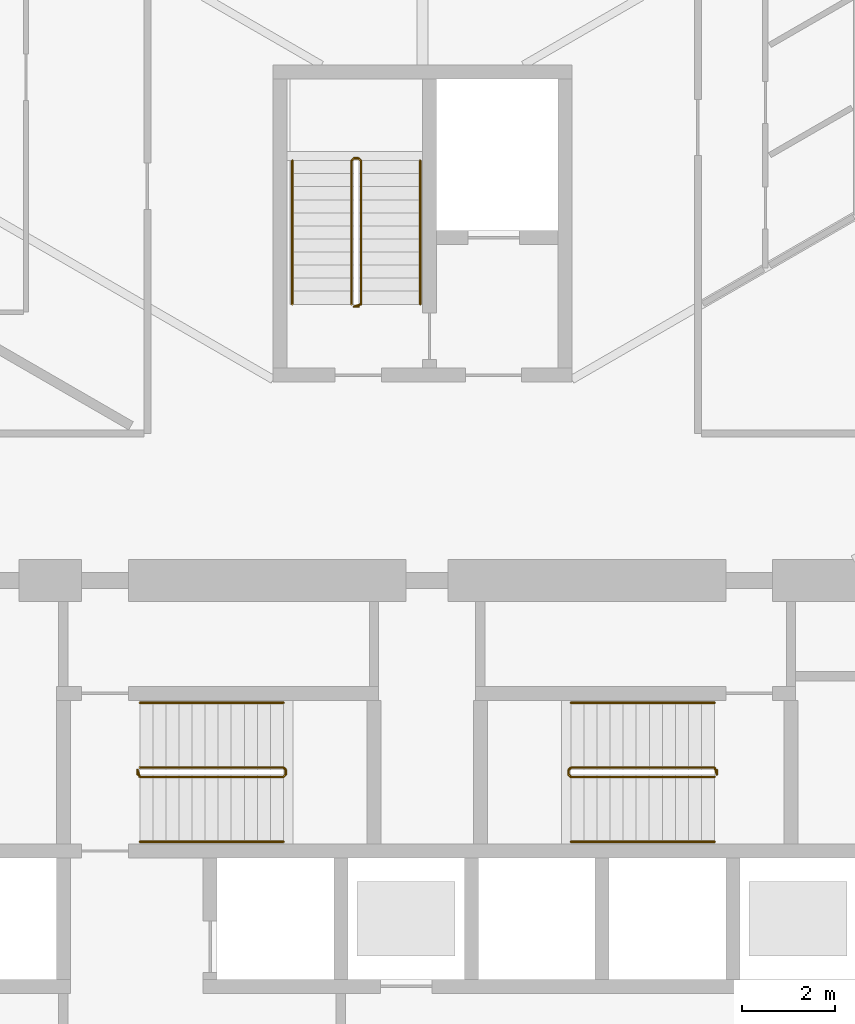
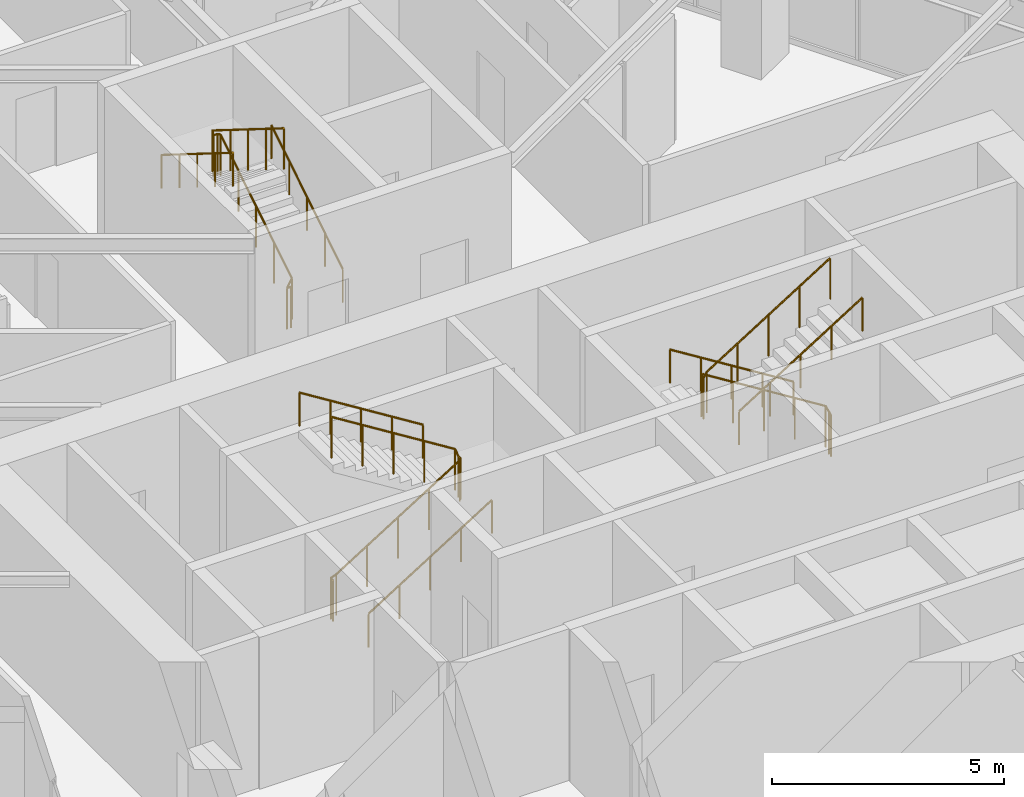
# One storey, part 24 of 25: 9 railings.
"""IFC4 building model written with IfcOpenShell, lengths in metres."""

from ifc_helpers import new_model, si_unit, direction, frame, origin, origin_2d, place, context, subcontext, project, spatial, circle, extrude, material, type_object, element, save


model = new_model("IFC4")

# Units and contexts
model_context = context("Model", 3, precision=1e-05, world=origin(), true_north=direction((0.0, 1.0)))
body_context = subcontext(model_context, "Body", "Model", "MODEL_VIEW")
ifc_project = project(units=[si_unit("LENGTHUNIT", "METRE"), si_unit("AREAUNIT", "SQUARE_METRE"), si_unit("VOLUMEUNIT", "CUBIC_METRE"), si_unit("PLANEANGLEUNIT", "RADIAN"), si_unit("MASSUNIT", "GRAM", prefix="KILO")], contexts=[model_context])

# Site, building, storey
site_placement = place(None, origin())
site = spatial("IfcSite", under=ifc_project, at=site_placement, CompositionType="ELEMENT")
building_placement = place(site_placement, origin())
building = spatial("IfcBuilding", under=site, at=building_placement, Name="Firuza Gate Tower and Library", CompositionType="ELEMENT")
storey_placement = place(building_placement, frame((0.0, 0.0, 61.0)))
storey = spatial("IfcBuildingStorey", under=building, at=storey_placement, Name="L13", CompositionType="ELEMENT", Elevation=61.0)

# Railings
ifc_material_1 = material(Name="Steel S355", Category="steel")
railing_type_1 = type_object("IfcRailingType", Name="Stair guard 1100", PredefinedType="GUARDRAIL", material=ifc_material_1)
railing_1_placement = place(storey_placement, frame((68.889892578125, 79.389892578125, 0.0)))
element("IfcRailing", 1, at=railing_1_placement, inside=storey, type_object=railing_type_1, Name="L13 ST1 stair guard 1", PredefinedType="GUARDRAIL", context=body_context, shape_type="SweptSolid", body=[
    extrude(circle(Radius=0.02392578125, at=origin_2d()), frame((0.0, 0.0, 1.076171875), z_axis=(0.0, 1.0, 0.0), x_axis=(-1.0, 0.0, 0.0)), (0.0, 0.0, 1.0), 0.10009765625),
    extrude(circle(Radius=0.02392578125, at=origin_2d()), frame((0.0, 0.10009765625, 1.076171875), z_axis=(0.21222055169, -0.635626432867, 0.742254319813), x_axis=(0.948528701346, 0.316691178788, 0.0)), (0.0, 0.0, 1.0), 0.23583984375),
    extrude(circle(Radius=0.02392578125, at=origin_2d()), frame((0.050048828125, -0.0498046875, 1.2509765625), z_axis=(0.847998304005, 0.0, 0.529998940003), x_axis=(0.0, 1.0, 0.0)), (0.0, 0.0, 1.0), 3.632080078125),
    extrude(circle(Radius=0.02392578125, at=origin_2d()), frame((3.130126953125, -0.0498046875, 3.17626953125), z_axis=(0.708833529934, 0.705375805398, 0.0), x_axis=(-0.705375805398, 0.708833529934, 0.0)), (0.0, 0.0, 1.0), 0.070556640625),
    extrude(circle(Radius=0.02392578125, at=origin_2d()), frame((3.18017578125, 0.0, 3.17626953125), z_axis=(0.0, 1.0, 0.0), x_axis=(-1.0, 0.0, 0.0)), (0.0, 0.0, 1.0), 0.10009765625),
    extrude(circle(Radius=0.02392578125, at=origin_2d()), frame((3.18017578125, 0.10009765625, 3.17626953125), z_axis=(-0.265383341853, 0.265383341853, 0.926899867156), x_axis=(-0.707106781187, -0.707106781187, 0.0)), (0.0, 0.0, 1.0), 0.1884765625),
    extrude(circle(Radius=0.02392578125, at=origin_2d()), frame((3.130126953125, 0.150146484375, 3.35107421875), z_axis=(-0.847998304005, 0.0, 0.529998940003), x_axis=(0.0, -1.0, 0.0)), (0.0, 0.0, 1.0), 3.632080078125),
    extrude(circle(Radius=0.02099609375, at=origin_2d()), origin(), (0.0, 0.0, 1.0), 1.052001953125),
    extrude(circle(Radius=0.02099609375, at=origin_2d()), frame((0.0, 0.10009765625, 0.0)), (0.0, 0.0, 1.0), 1.052001953125),
    extrude(circle(Radius=0.02099609375, at=origin_2d()), frame((0.050048828125, -0.0498046875, 0.175048828125)), (0.0, 0.0, 1.0), 1.052001953125),
    extrude(circle(Radius=0.02099609375, at=origin_2d()), frame((0.820068359375, -0.0498046875, 0.65625)), (0.0, 0.0, 1.0), 1.052001953125),
    extrude(circle(Radius=0.02099609375, at=origin_2d()), frame((1.590087890625, -0.0498046875, 1.1376953125)), (0.0, 0.0, 1.0), 1.052001953125),
    extrude(circle(Radius=0.02099609375, at=origin_2d()), frame((2.360107421875, -0.0498046875, 1.618896484375)), (0.0, 0.0, 1.0), 1.052001953125),
    extrude(circle(Radius=0.02099609375, at=origin_2d()), frame((3.130126953125, -0.0498046875, 2.10009765625)), (0.0, 0.0, 1.0), 1.052001953125),
    extrude(circle(Radius=0.02099609375, at=origin_2d()), frame((3.18017578125, 0.0, 2.10009765625)), (0.0, 0.0, 1.0), 1.052001953125),
    extrude(circle(Radius=0.02099609375, at=origin_2d()), frame((3.18017578125, 0.10009765625, 2.10009765625)), (0.0, 0.0, 1.0), 1.052001953125),
    extrude(circle(Radius=0.02099609375, at=origin_2d()), frame((3.130126953125, 0.150146484375, 2.27490234375)), (0.0, 0.0, 1.0), 1.052001953125),
    extrude(circle(Radius=0.02099609375, at=origin_2d()), frame((2.360107421875, 0.150146484375, 2.756103515625)), (0.0, 0.0, 1.0), 1.052001953125),
    extrude(circle(Radius=0.02099609375, at=origin_2d()), frame((1.590087890625, 0.150146484375, 3.2373046875)), (0.0, 0.0, 1.0), 1.052001953125),
    extrude(circle(Radius=0.02099609375, at=origin_2d()), frame((0.820068359375, 0.150146484375, 3.71875)), (0.0, 0.0, 1.0), 1.052001953125),
    extrude(circle(Radius=0.02099609375, at=origin_2d()), frame((0.050048828125, 0.150146484375, 4.199951171875)), (0.0, 0.0, 1.0), 1.052001953125),
])
railing_2_placement = place(storey_placement, frame((81.31005859375, 79.489990234375, 0.0)))
element("IfcRailing", 2, at=railing_2_placement, inside=storey, type_object=railing_type_1, Name="L13 ST2 stair guard 1", PredefinedType="GUARDRAIL", context=body_context, shape_type="SweptSolid", body=[
    extrude(circle(Radius=0.02392578125, at=origin_2d()), frame((0.0, 0.0, 1.076171875), z_axis=(0.0, -1.0, 0.0), x_axis=(1.0, 0.0, 0.0)), (0.0, 0.0, 1.0), 0.10009765625),
    extrude(circle(Radius=0.02392578125, at=origin_2d()), frame((0.0, -0.10009765625, 1.076171875), z_axis=(-0.212080931658, 0.636242794973, 0.741765990237), x_axis=(-0.948683298051, -0.316227766017, 0.0)), (0.0, 0.0, 1.0), 0.236083984375),
    extrude(circle(Radius=0.02392578125, at=origin_2d()), frame((-0.050048828125, 0.050048828125, 1.2509765625), z_axis=(-0.847998304005, 0.0, 0.529998940003), x_axis=(0.0, -1.0, 0.0)), (0.0, 0.0, 1.0), 3.632080078125),
    extrude(circle(Radius=0.02392578125, at=origin_2d()), frame((-3.130126953125, 0.050048828125, 3.17626953125), z_axis=(-0.707106781187, -0.707106781187, 0.0), x_axis=(0.707106781187, -0.707106781187, 0.0)), (0.0, 0.0, 1.0), 0.07080078125),
    extrude(circle(Radius=0.02392578125, at=origin_2d()), frame((-3.18017578125, 0.0, 3.17626953125), z_axis=(0.0, -1.0, 0.0), x_axis=(1.0, 0.0, 0.0)), (0.0, 0.0, 1.0), 0.10009765625),
    extrude(circle(Radius=0.02392578125, at=origin_2d()), frame((-3.18017578125, -0.10009765625, 3.17626953125), z_axis=(0.265474339444, -0.264179342666, 0.927217692888), x_axis=(0.705375805398, 0.708833529934, 0.0)), (0.0, 0.0, 1.0), 0.1884765625),
    extrude(circle(Radius=0.02392578125, at=origin_2d()), frame((-3.130126953125, -0.14990234375, 3.35107421875), z_axis=(0.847998304005, 0.0, 0.529998940003), x_axis=(0.0, 1.0, 0.0)), (0.0, 0.0, 1.0), 3.632080078125),
    extrude(circle(Radius=0.02099609375, at=origin_2d()), origin(), (0.0, 0.0, 1.0), 1.052001953125),
    extrude(circle(Radius=0.02099609375, at=origin_2d()), frame((0.0, -0.10009765625, 0.0)), (0.0, 0.0, 1.0), 1.052001953125),
    extrude(circle(Radius=0.02099609375, at=origin_2d()), frame((-0.050048828125, 0.050048828125, 0.175048828125)), (0.0, 0.0, 1.0), 1.052001953125),
    extrude(circle(Radius=0.02099609375, at=origin_2d()), frame((-0.820068359375, 0.050048828125, 0.65625)), (0.0, 0.0, 1.0), 1.052001953125),
    extrude(circle(Radius=0.02099609375, at=origin_2d()), frame((-1.590087890625, 0.050048828125, 1.1376953125)), (0.0, 0.0, 1.0), 1.052001953125),
    extrude(circle(Radius=0.02099609375, at=origin_2d()), frame((-2.360107421875, 0.050048828125, 1.618896484375)), (0.0, 0.0, 1.0), 1.052001953125),
    extrude(circle(Radius=0.02099609375, at=origin_2d()), frame((-3.130126953125, 0.050048828125, 2.10009765625)), (0.0, 0.0, 1.0), 1.052001953125),
    extrude(circle(Radius=0.02099609375, at=origin_2d()), frame((-3.18017578125, 0.0, 2.10009765625)), (0.0, 0.0, 1.0), 1.052001953125),
    extrude(circle(Radius=0.02099609375, at=origin_2d()), frame((-3.18017578125, -0.10009765625, 2.10009765625)), (0.0, 0.0, 1.0), 1.052001953125),
    extrude(circle(Radius=0.02099609375, at=origin_2d()), frame((-3.130126953125, -0.14990234375, 2.27490234375)), (0.0, 0.0, 1.0), 1.052001953125),
    extrude(circle(Radius=0.02099609375, at=origin_2d()), frame((-2.360107421875, -0.14990234375, 2.756103515625)), (0.0, 0.0, 1.0), 1.052001953125),
    extrude(circle(Radius=0.02099609375, at=origin_2d()), frame((-1.590087890625, -0.14990234375, 3.2373046875)), (0.0, 0.0, 1.0), 1.052001953125),
    extrude(circle(Radius=0.02099609375, at=origin_2d()), frame((-0.820068359375, -0.14990234375, 3.71875)), (0.0, 0.0, 1.0), 1.052001953125),
    extrude(circle(Radius=0.02099609375, at=origin_2d()), frame((-0.050048828125, -0.14990234375, 4.199951171875)), (0.0, 0.0, 1.0), 1.052001953125),
])
railing_3_placement = place(storey_placement, frame((73.6298828125, 89.419921875, 0.0)))
element("IfcRailing", 3, at=railing_3_placement, inside=storey, type_object=railing_type_1, Name="L13 ST3 stair guard 1", PredefinedType="GUARDRAIL", context=body_context, shape_type="SweptSolid", body=[
    extrude(circle(Radius=0.02392578125, at=origin_2d()), frame((0.0, 0.0, 1.076171875), z_axis=(-1.0, 0.0, 0.0), x_axis=(0.0, -1.0, 0.0)), (0.0, 0.0, 1.0), 0.099853515625),
    extrude(circle(Radius=0.02392578125, at=origin_2d()), frame((-0.099853515625, 0.0, 1.076171875), z_axis=(0.635626432867, 0.21222055169, 0.742254319813), x_axis=(-0.316691178788, 0.948528701346, 0.0)), (0.0, 0.0, 1.0), 0.23583984375),
    extrude(circle(Radius=0.02392578125, at=origin_2d()), frame((0.050048828125, 0.050048828125, 1.2509765625), z_axis=(0.0, 0.847998304005, 0.529998940003), x_axis=(-1.0, 0.0, 0.0)), (0.0, 0.0, 1.0), 3.632080078125),
    extrude(circle(Radius=0.02392578125, at=origin_2d()), frame((0.050048828125, 3.130126953125, 3.17626953125), z_axis=(-0.707106781187, 0.707106781187, 0.0), x_axis=(-0.707106781187, -0.707106781187, 0.0)), (0.0, 0.0, 1.0), 0.07080078125),
    extrude(circle(Radius=0.02392578125, at=origin_2d()), frame((0.0, 3.18017578125, 3.17626953125), z_axis=(-1.0, 0.0, 0.0), x_axis=(0.0, -1.0, 0.0)), (0.0, 0.0, 1.0), 0.099853515625),
    extrude(circle(Radius=0.02392578125, at=origin_2d()), frame((-0.099853515625, 3.18017578125, 3.17626953125), z_axis=(-0.265383341853, -0.265383341853, 0.926899867156), x_axis=(0.707106781187, -0.707106781187, 0.0)), (0.0, 0.0, 1.0), 0.1884765625),
    extrude(circle(Radius=0.02392578125, at=origin_2d()), frame((-0.14990234375, 3.130126953125, 3.35107421875), z_axis=(0.0, -0.847998304005, 0.529998940003), x_axis=(1.0, 0.0, 0.0)), (0.0, 0.0, 1.0), 3.632080078125),
    extrude(circle(Radius=0.02099609375, at=origin_2d()), origin(), (0.0, 0.0, 1.0), 1.052001953125),
    extrude(circle(Radius=0.02099609375, at=origin_2d()), frame((-0.099853515625, 0.0, 0.0)), (0.0, 0.0, 1.0), 1.052001953125),
    extrude(circle(Radius=0.02099609375, at=origin_2d()), frame((0.050048828125, 0.050048828125, 0.175048828125)), (0.0, 0.0, 1.0), 1.052001953125),
    extrude(circle(Radius=0.02099609375, at=origin_2d()), frame((0.050048828125, 0.820068359375, 0.65625)), (0.0, 0.0, 1.0), 1.052001953125),
    extrude(circle(Radius=0.02099609375, at=origin_2d()), frame((0.050048828125, 1.590087890625, 1.1376953125)), (0.0, 0.0, 1.0), 1.052001953125),
    extrude(circle(Radius=0.02099609375, at=origin_2d()), frame((0.050048828125, 2.360107421875, 1.618896484375)), (0.0, 0.0, 1.0), 1.052001953125),
    extrude(circle(Radius=0.02099609375, at=origin_2d()), frame((0.050048828125, 3.130126953125, 2.10009765625)), (0.0, 0.0, 1.0), 1.052001953125),
    extrude(circle(Radius=0.02099609375, at=origin_2d()), frame((0.0, 3.18017578125, 2.10009765625)), (0.0, 0.0, 1.0), 1.052001953125),
    extrude(circle(Radius=0.02099609375, at=origin_2d()), frame((-0.099853515625, 3.18017578125, 2.10009765625)), (0.0, 0.0, 1.0), 1.052001953125),
    extrude(circle(Radius=0.02099609375, at=origin_2d()), frame((-0.14990234375, 3.130126953125, 2.27490234375)), (0.0, 0.0, 1.0), 1.052001953125),
    extrude(circle(Radius=0.02099609375, at=origin_2d()), frame((-0.14990234375, 2.360107421875, 2.756103515625)), (0.0, 0.0, 1.0), 1.052001953125),
    extrude(circle(Radius=0.02099609375, at=origin_2d()), frame((-0.14990234375, 1.590087890625, 3.2373046875)), (0.0, 0.0, 1.0), 1.052001953125),
    extrude(circle(Radius=0.02099609375, at=origin_2d()), frame((-0.14990234375, 0.820068359375, 3.71875)), (0.0, 0.0, 1.0), 1.052001953125),
    extrude(circle(Radius=0.02099609375, at=origin_2d()), frame((-0.14990234375, 0.050048828125, 4.199951171875)), (0.0, 0.0, 1.0), 1.052001953125),
])
ifc_material_2 = material(Name="Steel S355", Category="steel")
railing_type_2 = type_object("IfcRailingType", Name="Stair handrail 900", PredefinedType="HANDRAIL", material=ifc_material_2)
railing_4_placement = place(storey_placement, frame((68.93994140625, 77.949951171875, 0.175048828125)))
element("IfcRailing", 4, at=railing_4_placement, inside=storey, type_object=railing_type_2, Name="L13 ST1 stair handrail 1", PredefinedType="HANDRAIL", context=body_context, shape_type="SweptSolid", body=[
    extrude(circle(Radius=0.02392578125, at=origin_2d()), frame((0.0, 0.0, 0.8759765625), z_axis=(0.847998304005, 0.0, 0.529998940003), x_axis=(0.0, 1.0, 0.0)), (0.0, 0.0, 1.0), 3.632080078125),
    extrude(circle(Radius=0.02099609375, at=origin_2d()), origin(), (0.0, 0.0, 1.0), 0.851806640625),
    extrude(circle(Radius=0.02099609375, at=origin_2d()), frame((0.77001953125, 0.0, 0.481201171875)), (0.0, 0.0, 1.0), 0.851806640625),
    extrude(circle(Radius=0.02099609375, at=origin_2d()), frame((1.5400390625, 0.0, 0.96240234375)), (0.0, 0.0, 1.0), 0.851806640625),
    extrude(circle(Radius=0.02099609375, at=origin_2d()), frame((2.31005859375, 0.0, 1.44384765625)), (0.0, 0.0, 1.0), 0.851806640625),
    extrude(circle(Radius=0.02099609375, at=origin_2d()), frame((3.080078125, 0.0, 1.925048828125)), (0.0, 0.0, 1.0), 0.851806640625),
])
for number, where, name in (
    (5, (72.02001953125, 80.929931640625, 2.27490234375), "L13 ST1 stair handrail 2"),
    (6, (81.260009765625, 80.929931640625, 0.175048828125), "L13 ST2 stair handrail 1"),
):
    element("IfcRailing", number, at=place(storey_placement, frame(where)), inside=storey, type_object=railing_type_2, Name=name, PredefinedType="HANDRAIL", context=body_context, shape_type="SweptSolid", body=[
        extrude(circle(Radius=0.02392578125, at=origin_2d()), frame((0.0, 0.0, 0.8759765625), z_axis=(-0.847998304005, 0.0, 0.529998940003), x_axis=(0.0, -1.0, 0.0)), (0.0, 0.0, 1.0), 3.632080078125),
        extrude(circle(Radius=0.02099609375, at=origin_2d()), origin(), (0.0, 0.0, 1.0), 0.851806640625),
        extrude(circle(Radius=0.02099609375, at=origin_2d()), frame((-0.77001953125, 0.0, 0.481201171875)), (0.0, 0.0, 1.0), 0.851806640625),
        extrude(circle(Radius=0.02099609375, at=origin_2d()), frame((-1.5400390625, 0.0, 0.96240234375)), (0.0, 0.0, 1.0), 0.851806640625),
        extrude(circle(Radius=0.02099609375, at=origin_2d()), frame((-2.31005859375, 0.0, 1.44384765625)), (0.0, 0.0, 1.0), 0.851806640625),
        extrude(circle(Radius=0.02099609375, at=origin_2d()), frame((-3.080078125, 0.0, 1.925048828125)), (0.0, 0.0, 1.0), 0.851806640625),
    ])
railing_5_placement = place(storey_placement, frame((78.179931640625, 77.949951171875, 2.27490234375)))
element("IfcRailing", 7, at=railing_5_placement, inside=storey, type_object=railing_type_2, Name="L13 ST2 stair handrail 2", PredefinedType="HANDRAIL", context=body_context, shape_type="SweptSolid", body=[
    extrude(circle(Radius=0.02392578125, at=origin_2d()), frame((0.0, 0.0, 0.8759765625), z_axis=(0.847998304005, 0.0, 0.529998940003), x_axis=(0.0, 1.0, 0.0)), (0.0, 0.0, 1.0), 3.632080078125),
    extrude(circle(Radius=0.02099609375, at=origin_2d()), origin(), (0.0, 0.0, 1.0), 0.851806640625),
    extrude(circle(Radius=0.02099609375, at=origin_2d()), frame((0.77001953125, 0.0, 0.481201171875)), (0.0, 0.0, 1.0), 0.851806640625),
    extrude(circle(Radius=0.02099609375, at=origin_2d()), frame((1.5400390625, 0.0, 0.96240234375)), (0.0, 0.0, 1.0), 0.851806640625),
    extrude(circle(Radius=0.02099609375, at=origin_2d()), frame((2.31005859375, 0.0, 1.44384765625)), (0.0, 0.0, 1.0), 0.851806640625),
    extrude(circle(Radius=0.02099609375, at=origin_2d()), frame((3.080078125, 0.0, 1.925048828125)), (0.0, 0.0, 1.0), 0.851806640625),
])
railing_6_placement = place(storey_placement, frame((74.949951171875, 89.469970703125, 0.175048828125)))
element("IfcRailing", 8, at=railing_6_placement, inside=storey, type_object=railing_type_2, Name="L13 ST3 stair handrail 1", PredefinedType="HANDRAIL", context=body_context, shape_type="SweptSolid", body=[
    extrude(circle(Radius=0.02392578125, at=origin_2d()), frame((0.0, 0.0, 0.8759765625), z_axis=(0.0, 0.847998304005, 0.529998940003), x_axis=(-1.0, 0.0, 0.0)), (0.0, 0.0, 1.0), 3.632080078125),
    extrude(circle(Radius=0.02099609375, at=origin_2d()), origin(), (0.0, 0.0, 1.0), 0.851806640625),
    extrude(circle(Radius=0.02099609375, at=origin_2d()), frame((0.0, 0.77001953125, 0.481201171875)), (0.0, 0.0, 1.0), 0.851806640625),
    extrude(circle(Radius=0.02099609375, at=origin_2d()), frame((0.0, 1.5400390625, 0.96240234375)), (0.0, 0.0, 1.0), 0.851806640625),
    extrude(circle(Radius=0.02099609375, at=origin_2d()), frame((0.0, 2.31005859375, 1.44384765625)), (0.0, 0.0, 1.0), 0.851806640625),
    extrude(circle(Radius=0.02099609375, at=origin_2d()), frame((0.0, 3.080078125, 1.925048828125)), (0.0, 0.0, 1.0), 0.851806640625),
])
railing_7_placement = place(storey_placement, frame((72.2099609375, 92.550048828125, 2.27490234375)))
element("IfcRailing", 9, at=railing_7_placement, inside=storey, type_object=railing_type_2, Name="L13 ST3 stair handrail 2", PredefinedType="HANDRAIL", context=body_context, shape_type="SweptSolid", body=[
    extrude(circle(Radius=0.02392578125, at=origin_2d()), frame((0.0, 0.0, 0.8759765625), z_axis=(0.0, -0.847998304005, 0.529998940003), x_axis=(1.0, 0.0, 0.0)), (0.0, 0.0, 1.0), 3.632080078125),
    extrude(circle(Radius=0.02099609375, at=origin_2d()), origin(), (0.0, 0.0, 1.0), 0.851806640625),
    extrude(circle(Radius=0.02099609375, at=origin_2d()), frame((0.0, -0.77001953125, 0.481201171875)), (0.0, 0.0, 1.0), 0.851806640625),
    extrude(circle(Radius=0.02099609375, at=origin_2d()), frame((0.0, -1.5400390625, 0.96240234375)), (0.0, 0.0, 1.0), 0.851806640625),
    extrude(circle(Radius=0.02099609375, at=origin_2d()), frame((0.0, -2.31005859375, 1.44384765625)), (0.0, 0.0, 1.0), 0.851806640625),
    extrude(circle(Radius=0.02099609375, at=origin_2d()), frame((0.0, -3.080078125, 1.925048828125)), (0.0, 0.0, 1.0), 0.851806640625),
])

save(model, "model.ifc")
